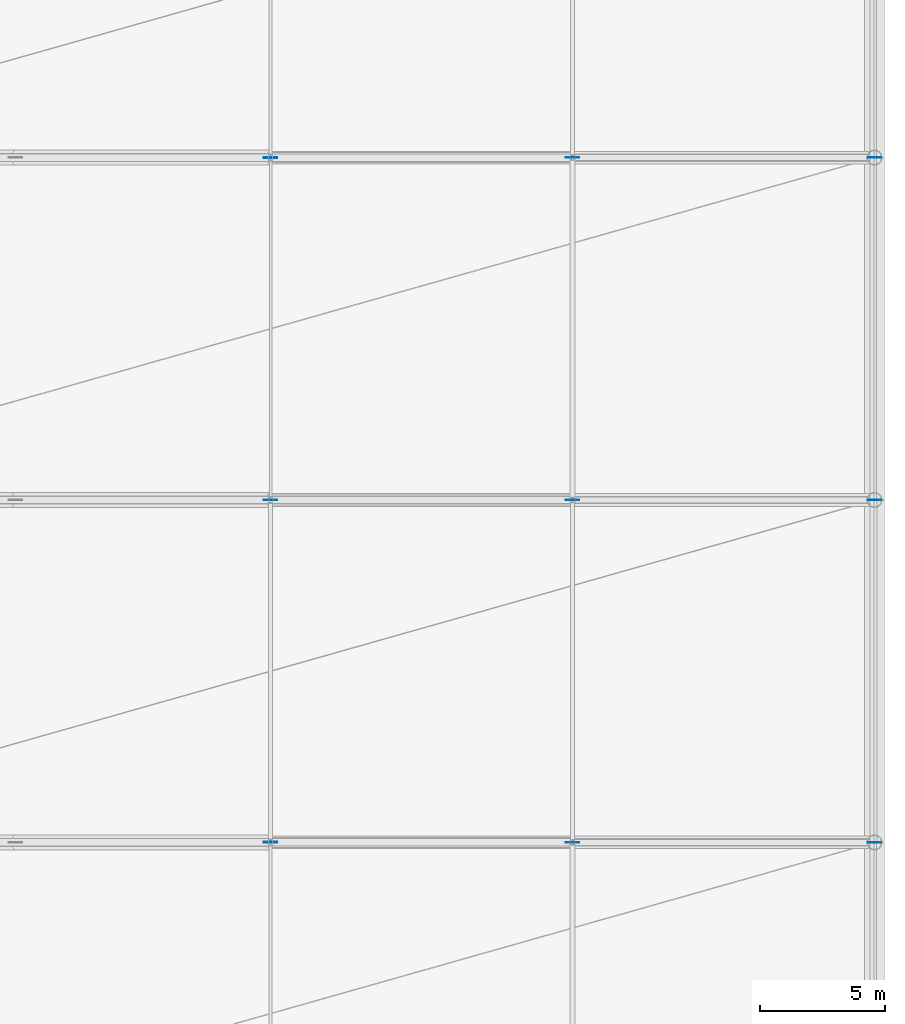
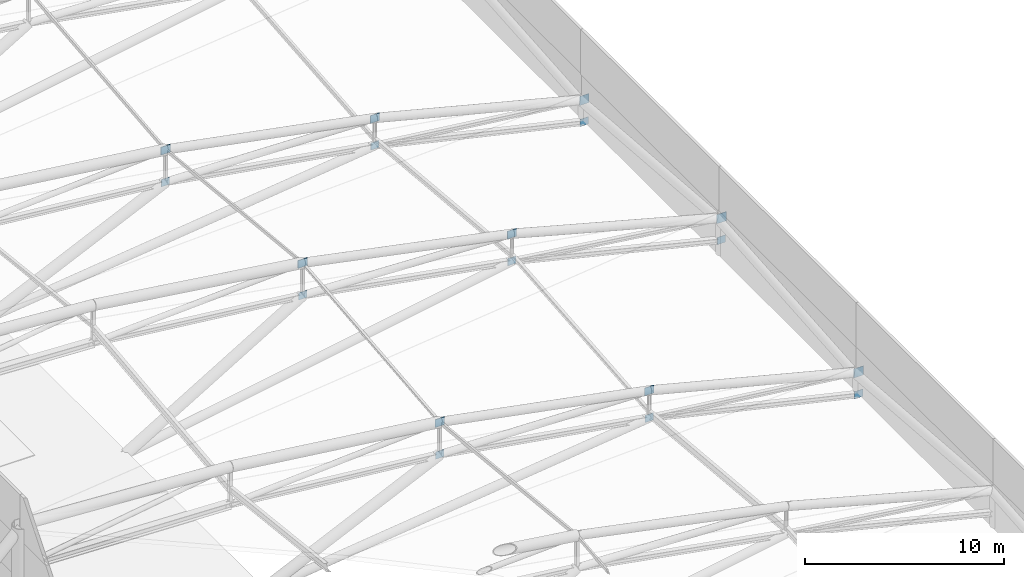
# One storey, part 34 of 36: 18 plates.
"""IFC4 building model written with IfcOpenShell, lengths in metres."""

from ifc_helpers import new_model, si_unit, direction, frame, origin, origin_2d, place, context, subcontext, project, spatial, rectangle, extrude, material, layer, layer_set, type_object, element, save


model = new_model("IFC4")

# Units and contexts
model_context = context("Model", 3, precision=1e-05, world=origin(), true_north=direction((0.0, 1.0)))
body_context = subcontext(model_context, "Body", "Model", "MODEL_VIEW")
ifc_project = project(units=[si_unit("LENGTHUNIT", "METRE"), si_unit("AREAUNIT", "SQUARE_METRE"), si_unit("VOLUMEUNIT", "CUBIC_METRE"), si_unit("PLANEANGLEUNIT", "RADIAN"), si_unit("MASSUNIT", "GRAM", prefix="KILO")], contexts=[model_context])

# Site, building, storey
site_placement = place(None, origin())
site = spatial("IfcSite", under=ifc_project, at=site_placement, CompositionType="ELEMENT")
building_placement = place(site_placement, origin())
building = spatial("IfcBuilding", under=site, at=building_placement, Name="Linyun Crest Stadium", CompositionType="ELEMENT")
storey_placement = place(building_placement, frame((0.0, 0.0, 31.60009765625)))
storey = spatial("IfcBuildingStorey", under=building, at=storey_placement, Name="RF", CompositionType="ELEMENT", Elevation=31.60009765625)

# Plates
ifc_material_1 = material(Name="Steel Q355C", Category="steel")
ifc_layer_1 = layer(ifc_material_1, 0.02001953125)
ifc_layer_set_1 = layer_set([ifc_layer_1], Name="Steel Q355C")
plate_type_1 = type_object("IfcPlateType", Name="EP01", PredefinedType="USERDEFINED", material=ifc_layer_set_1)
for number, where, z_axis, x_axis, name in (
    (1, (-35.5, -11.625, 0.767822265625), (0.0, 0.0, 1.0), (1.0, 0.0, 0.0), "Canopy tip tube end plate EP01 45"),
    (2, (-35.5, 2.125, 1.872802734375), (0.0, 0.0, 1.0), (1.0, 0.0, 0.0), "Canopy tip tube end plate EP01 58"),
    (3, (-35.5, 15.875, 0.767822265625), (0.0, 0.0, 1.0), (1.0, 0.0, 0.0), "Canopy tip tube end plate EP01 71"),
):
    element("IfcPlate", number, at=place(storey_placement, frame(where, z_axis=z_axis, x_axis=x_axis)), inside=storey, type_object=plate_type_1, Name=name, ObjectType="END PLATE", PredefinedType="USERDEFINED", context=body_context, shape_type="SweptSolid", body=[
        extrude(rectangle(XDim=0.56005859375, YDim=0.02001953125, at=origin_2d()), origin(), (0.0, 0.0, 1.0), 0.56005859375),
    ])
ifc_material_2 = material(Name="Steel Q355C", Category="steel")
ifc_layer_2 = layer(ifc_material_2, 0.02392578125)
ifc_layer_set_2 = layer_set([ifc_layer_2], Name="Steel Q355C")
plate_type_2 = type_object("IfcPlateType", Name="NP01", PredefinedType="USERDEFINED", material=ifc_layer_set_2)
plate_1_placement = place(storey_placement, frame((-47.625, -11.625, 3.9208984375), z_axis=(0.0, 0.0, 1.0), x_axis=(1.0, 0.0, 0.0)))
element("IfcPlate", 4, at=plate_1_placement, inside=storey, type_object=plate_type_2, Name="Roof truss node gusset plate NP01 44", ObjectType="GUSSET PLATE", PredefinedType="USERDEFINED", context=body_context, shape_type="SweptSolid", body=[
    extrude(rectangle(XDim=0.5400390625, YDim=0.02392578125, at=origin_2d()), origin(), (0.0, 0.0, 1.0), 0.47998046875),
])
for number, where, z_axis, x_axis, name in (
    (5, (-59.75, -11.625, 4.27783203125), (0.0, 0.0, 1.0), (1.0, 0.0, 0.0), "Roof bottom-chord node gusset plate NP01 49"),
    (6, (-47.625, -11.625, 2.27685546875), (0.0, 0.0, 1.0), (1.0, 0.0, 0.0), "Roof bottom-chord node gusset plate NP01 50"),
    (7, (-35.5, -11.625, -0.524169921875), (0.0, 0.0, 1.0), (1.0, 0.0, 0.0), "Roof bottom-chord node gusset plate NP01 51"),
):
    element("IfcPlate", number, at=place(storey_placement, frame(where, z_axis=z_axis, x_axis=x_axis)), inside=storey, type_object=plate_type_2, Name=name, ObjectType="GUSSET PLATE", PredefinedType="USERDEFINED", context=body_context, shape_type="SweptSolid", body=[
        extrude(rectangle(XDim=0.47998046875, YDim=0.02392578125, at=origin_2d()), origin(), (0.0, 0.0, 1.0), 0.43994140625),
    ])
plate_2_placement = place(storey_placement, frame((-47.625, 2.125, 5.1748046875), z_axis=(0.0, 0.0, 1.0), x_axis=(1.0, 0.0, 0.0)))
element("IfcPlate", 8, at=plate_2_placement, inside=storey, type_object=plate_type_2, Name="Roof truss node gusset plate NP01 57", ObjectType="GUSSET PLATE", PredefinedType="USERDEFINED", context=body_context, shape_type="SweptSolid", body=[
    extrude(rectangle(XDim=0.5400390625, YDim=0.02392578125, at=origin_2d()), origin(), (0.0, 0.0, 1.0), 0.47998046875),
])
for number, where, z_axis, x_axis, name in (
    (9, (-59.75, 2.125, 5.679931640625), (0.0, 0.0, 1.0), (1.0, 0.0, 0.0), "Roof bottom-chord node gusset plate NP01 62"),
    (10, (-47.625, 2.125, 3.531005859375), (0.0, 0.0, 1.0), (1.0, 0.0, 0.0), "Roof bottom-chord node gusset plate NP01 63"),
    (11, (-35.5, 2.125, 0.580810546875), (0.0, 0.0, 1.0), (1.0, 0.0, 0.0), "Roof bottom-chord node gusset plate NP01 64"),
):
    element("IfcPlate", number, at=place(storey_placement, frame(where, z_axis=z_axis, x_axis=x_axis)), inside=storey, type_object=plate_type_2, Name=name, ObjectType="GUSSET PLATE", PredefinedType="USERDEFINED", context=body_context, shape_type="SweptSolid", body=[
        extrude(rectangle(XDim=0.47998046875, YDim=0.02392578125, at=origin_2d()), origin(), (0.0, 0.0, 1.0), 0.43994140625),
    ])
plate_3_placement = place(storey_placement, frame((-47.625, 15.875, 3.9208984375), z_axis=(0.0, 0.0, 1.0), x_axis=(1.0, 0.0, 0.0)))
element("IfcPlate", 12, at=plate_3_placement, inside=storey, type_object=plate_type_2, Name="Roof truss node gusset plate NP01 70", ObjectType="GUSSET PLATE", PredefinedType="USERDEFINED", context=body_context, shape_type="SweptSolid", body=[
    extrude(rectangle(XDim=0.5400390625, YDim=0.02392578125, at=origin_2d()), origin(), (0.0, 0.0, 1.0), 0.47998046875),
])
for number, where, z_axis, x_axis, name in (
    (13, (-59.75, 15.875, 4.27783203125), (0.0, 0.0, 1.0), (1.0, 0.0, 0.0), "Roof bottom-chord node gusset plate NP01 75"),
    (14, (-47.625, 15.875, 2.27685546875), (0.0, 0.0, 1.0), (1.0, 0.0, 0.0), "Roof bottom-chord node gusset plate NP01 76"),
    (15, (-35.5, 15.875, -0.524169921875), (0.0, 0.0, 1.0), (1.0, 0.0, 0.0), "Roof bottom-chord node gusset plate NP01 77"),
):
    element("IfcPlate", number, at=place(storey_placement, frame(where, z_axis=z_axis, x_axis=x_axis)), inside=storey, type_object=plate_type_2, Name=name, ObjectType="GUSSET PLATE", PredefinedType="USERDEFINED", context=body_context, shape_type="SweptSolid", body=[
        extrude(rectangle(XDim=0.47998046875, YDim=0.02392578125, at=origin_2d()), origin(), (0.0, 0.0, 1.0), 0.43994140625),
    ])
ifc_material_3 = material(Name="Steel Q420C", Category="steel")
ifc_layer_3 = layer(ifc_material_3, 0.035888671875)
ifc_layer_set_3 = layer_set([ifc_layer_3], Name="Steel Q420C")
plate_type_3 = type_object("IfcPlateType", Name="NP04", PredefinedType="USERDEFINED", material=ifc_layer_set_3)
for number, where, z_axis, x_axis, name in (
    (16, (-59.75, -11.625, 6.23388671875), (0.0, 0.0, 1.0), (1.0, 0.0, 0.0), "Roof truss node gusset plate NP04 43"),
    (17, (-59.75, 2.125, 7.635986328125), (0.0, 0.0, 1.0), (1.0, 0.0, 0.0), "Roof truss node gusset plate NP04 56"),
    (18, (-59.75, 15.875, 6.23388671875), (0.0, 0.0, 1.0), (1.0, 0.0, 0.0), "Roof truss node gusset plate NP04 69"),
):
    element("IfcPlate", number, at=place(storey_placement, frame(where, z_axis=z_axis, x_axis=x_axis)), inside=storey, type_object=plate_type_3, Name=name, ObjectType="GUSSET PLATE", PredefinedType="USERDEFINED", context=body_context, shape_type="SweptSolid", body=[
        extrude(rectangle(XDim=0.5400390625, YDim=0.035888671875, at=origin_2d()), origin(), (0.0, 0.0, 1.0), 0.47998046875),
    ])

save(model, "model.ifc")
